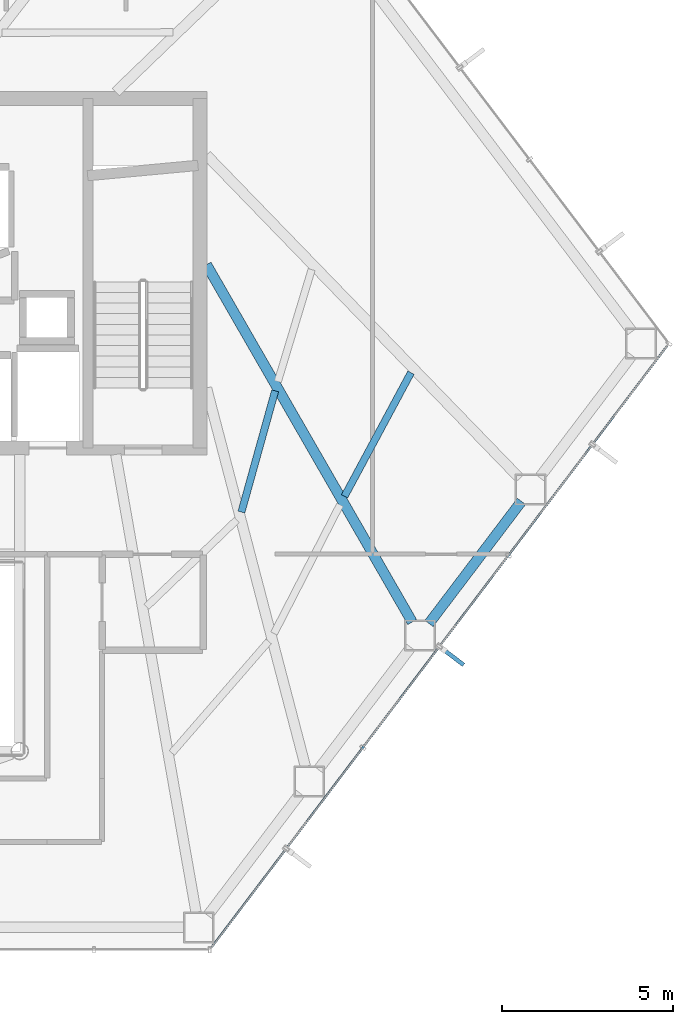
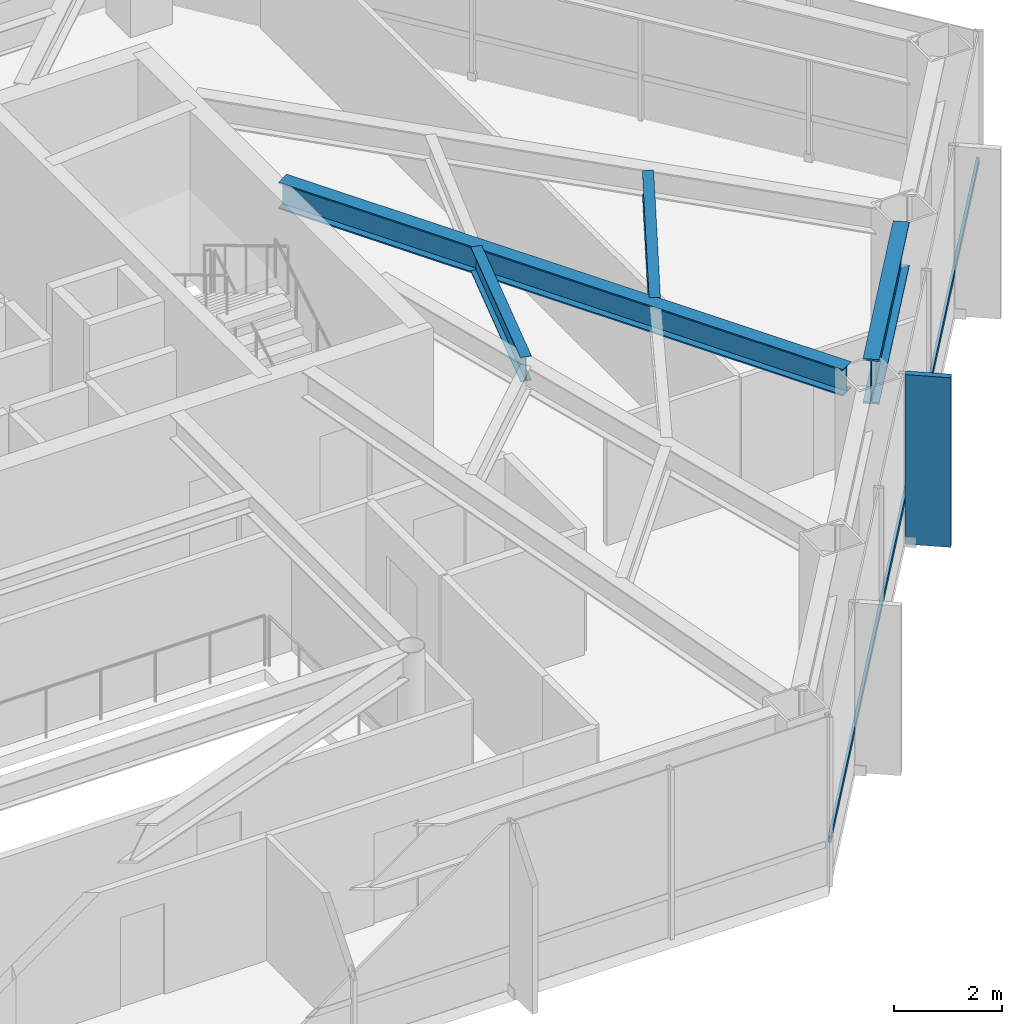
# One storey, part 15 of 24: 4 beams, 2 members, 1 element without a shape of its own.
"""IFC4 building model written with IfcOpenShell, lengths in metres."""

from ifc_helpers import new_model, si_unit, direction, frame, origin, origin_2d, place, context, subcontext, project, spatial, rectangle, hollow_rectangle, i_section, extrude, material, layer, layer_set, material_profile, profile_set, type_object, element, aggregate, save


model = new_model("IFC4")

# Units and contexts
model_context = context("Model", 3, precision=1e-05, world=origin(), true_north=direction((0.0, 1.0)))
body_context = subcontext(model_context, "Body", "Model", "MODEL_VIEW")
ifc_project = project(units=[si_unit("LENGTHUNIT", "METRE"), si_unit("AREAUNIT", "SQUARE_METRE"), si_unit("VOLUMEUNIT", "CUBIC_METRE"), si_unit("PLANEANGLEUNIT", "RADIAN"), si_unit("MASSUNIT", "GRAM", prefix="KILO")], contexts=[model_context])

# Site, building, storey
site_placement = place(None, origin())
site = spatial("IfcSite", under=ifc_project, at=site_placement, CompositionType="ELEMENT")
building_placement = place(site_placement, origin())
building = spatial("IfcBuilding", under=site, at=building_placement, Name="Zarrinselat Tower", CompositionType="ELEMENT")
storey_placement = place(building_placement, frame((0.0, 0.0, 72.419921875)))
storey = spatial("IfcBuildingStorey", under=building, at=storey_placement, Name="L17", CompositionType="ELEMENT", Elevation=72.419921875)

# Beams
ifc_material_1 = material(Name="Steel S355J2", Category="steel")
ifc_material_profile_1 = material_profile(ifc_material_1, i_section(OverallWidth=0.300048828125, OverallDepth=0.60009765625, WebThickness=0.015380859375, FlangeThickness=0.030029296875, at=origin_2d()), Name="HEB 600")
ifc_profile_set_1 = profile_set([ifc_material_profile_1], Name="Steel S355J2")
beam_type_1 = type_object("IfcBeamType", Name="BM-HEB600", PredefinedType="BEAM", material=ifc_profile_set_1)
beam_1_placement = place(storey_placement, frame((48.449951171875, 38.60009765625, 3.52001953125), z_axis=(0.498865177679, -0.86667960314, 0.0), x_axis=(0.86667960314, 0.498865177679, 0.0)))
element("IfcBeam", 1, at=beam_1_placement, inside=storey, type_object=beam_type_1, Name="L17 Radial Primary Girder RG13", PredefinedType="BEAM", context=body_context, shape_type="SweptSolid", body=[
    extrude(i_section(OverallWidth=0.300048828125, OverallDepth=0.60009765625, WebThickness=0.015380859375, FlangeThickness=0.030029296875, at=origin_2d()), origin(), (0.0, 0.0, 1.0), 12.03466796875),
])
ifc_material_2 = material(Name="Steel S460M", Category="steel")
ifc_material_profile_2 = material_profile(ifc_material_2, i_section(OverallWidth=0.302001953125, OverallDepth=1.008056640625, WebThickness=0.02099609375, FlangeThickness=0.0400390625, at=origin_2d()), Name="HEM 1000")
ifc_profile_set_2 = profile_set([ifc_material_profile_2], Name="Steel S460M")
beam_type_2 = type_object("IfcBeamType", Name="BM-HEM1000", PredefinedType="BEAM", material=ifc_profile_set_2)
beam_2_placement = place(storey_placement, frame((54.943603515625, 28.127197265625, 3.316162109375), z_axis=(0.603846122935, 0.797100909431, 0.0), x_axis=(-0.797100909431, 0.603846122935, 0.0)))
element("IfcBeam", 2, at=beam_2_placement, inside=storey, type_object=beam_type_2, Name="L17 Perimeter Spandrel Girder SP13", PredefinedType="BEAM", context=body_context, shape_type="SweptSolid", body=[
    extrude(i_section(OverallWidth=0.302001953125, OverallDepth=1.008056640625, WebThickness=0.02099609375, FlangeThickness=0.0400390625, at=origin_2d()), origin(), (0.0, 0.0, 1.0), 4.470947265625),
])
ifc_material_3 = material(Name="Steel S355J2", Category="steel")
ifc_material_profile_3 = material_profile(ifc_material_3, i_section(OverallWidth=0.2099609375, OverallDepth=0.550048828125, WebThickness=0.010986328125, FlangeThickness=0.01708984375, at=origin_2d()), Name="IPE 550")
ifc_profile_set_3 = profile_set([ifc_material_profile_3], Name="Steel S355J2")
beam_type_3 = type_object("IfcBeamType", Name="BM-IPE550", PredefinedType="JOIST", material=ifc_profile_set_3)
beam_3_placement = place(storey_placement, frame((49.468994140625, 31.379150390625, 3.545166015625), z_axis=(0.267983129729, 0.963423604745, 0.0), x_axis=(-0.963423604745, 0.267983129729, 0.0)))
element("IfcBeam", 3, at=beam_3_placement, inside=storey, type_object=beam_type_3, Name="L17 Composite Floor Joist 4-2", PredefinedType="JOIST", context=body_context, shape_type="SweptSolid", body=[
    extrude(i_section(OverallWidth=0.2099609375, OverallDepth=0.550048828125, WebThickness=0.010986328125, FlangeThickness=0.01708984375, at=origin_2d()), origin(), (0.0, 0.0, 1.0), 3.674072265625),
])
beam_4_placement = place(storey_placement, frame((52.478759765625, 31.839599609375, 3.545166015625), z_axis=(0.473307320039, 0.880897372455, 0.0), x_axis=(-0.880897372455, 0.473307320039, 0.0)))
element("IfcBeam", 4, at=beam_4_placement, inside=storey, type_object=beam_type_3, Name="L17 Composite Floor Joist 5-1", PredefinedType="JOIST", context=body_context, shape_type="SweptSolid", body=[
    extrude(i_section(OverallWidth=0.2099609375, OverallDepth=0.550048828125, WebThickness=0.010986328125, FlangeThickness=0.01708984375, at=origin_2d()), origin(), (0.0, 0.0, 1.0), 4.09765625),
])

# Curtain wall, members
ifc_material_4 = material(Name="Extruded Aluminium Alloy EN AW-6063 T6", Category="aluminium")
ifc_layer = layer(ifc_material_4, 0.18505859375)
ifc_layer_set = layer_set([ifc_layer], Name="Extruded Aluminium Alloy EN AW-6063 T6")
curtain_wall_type = type_object("IfcCurtainWallType", Name="CWS-OFF", PredefinedType="NOTDEFINED", material=ifc_layer_set)
curtain_wall_placement = place(storey_placement, origin())
curtain_wall = element("IfcCurtainWall", 5, at=curtain_wall_placement, inside=storey, type_object=curtain_wall_type, Name="L17 Unitised Curtain Wall CW-L17-E05", PredefinedType="NOTDEFINED")
ifc_material_5 = material(Name="Extruded Aluminium Alloy EN AW-6063 T6", Category="aluminium")
ifc_material_profile_4 = material_profile(ifc_material_5, hollow_rectangle(XDim=0.06005859375, YDim=0.139892578125, WallThickness=0.00390625, at=origin_2d()), Name="RHS 140x60x4")
ifc_profile_set_4 = profile_set([ifc_material_profile_4], Name="Extruded Aluminium Alloy EN AW-6063 T6")
member_type_1 = type_object("IfcMemberType", Name="MEM-CW-TRN", PredefinedType="USERDEFINED", material=ifc_profile_set_4)
member_1_placement = place(storey_placement, frame((48.599609375, 18.676513671875, 0.9501953125), z_axis=(0.603851071095, 0.797097160914, 0.0), x_axis=(-0.797097160914, 0.603851071095, 0.0)))
member_1 = element("IfcMember", 6, at=member_1_placement, type_object=member_type_1, Name="CW-L17-E05 Transom 1", ObjectType="TRANSOM", PredefinedType="USERDEFINED", context=body_context, shape_type="SweptSolid", body=[
    extrude(hollow_rectangle(XDim=0.06005859375, YDim=0.139892578125, WallThickness=0.00390625, at=origin_2d()), origin(), (0.0, 0.0, 1.0), 22.021728515625),
])
ifc_material_6 = material(Name="Honed Cream Travertine Stone", Category="masonry")
ifc_material_profile_5 = material_profile(ifc_material_6, rectangle(XDim=0.1201171875, YDim=0.85009765625, at=origin_2d()), Name="FIN 850x120")
ifc_profile_set_5 = profile_set([ifc_material_profile_5], Name="Honed Cream Travertine Stone")
member_type_2 = type_object("IfcMemberType", Name="MEM-STONE-FIN", PredefinedType="USERDEFINED", material=ifc_profile_set_5)
member_2_placement = place(storey_placement, frame((55.615234375, 27.175537109375, 0.0), z_axis=(0.0, 0.0, 1.0), x_axis=(-0.603855086386, -0.797094119063, 0.0)))
member_2 = element("IfcMember", 7, at=member_2_placement, type_object=member_type_2, Name="L17 Stone Shading Fin CW-L17-E05-03", ObjectType="FIN", PredefinedType="USERDEFINED", context=body_context, shape_type="SweptSolid", body=[
    extrude(rectangle(XDim=0.1201171875, YDim=0.85009765625, at=origin_2d()), origin(), (0.0, 0.0, 1.0), 3.820068359375),
])
aggregate(curtain_wall, [member_2, member_1])

save(model, "model.ifc")
